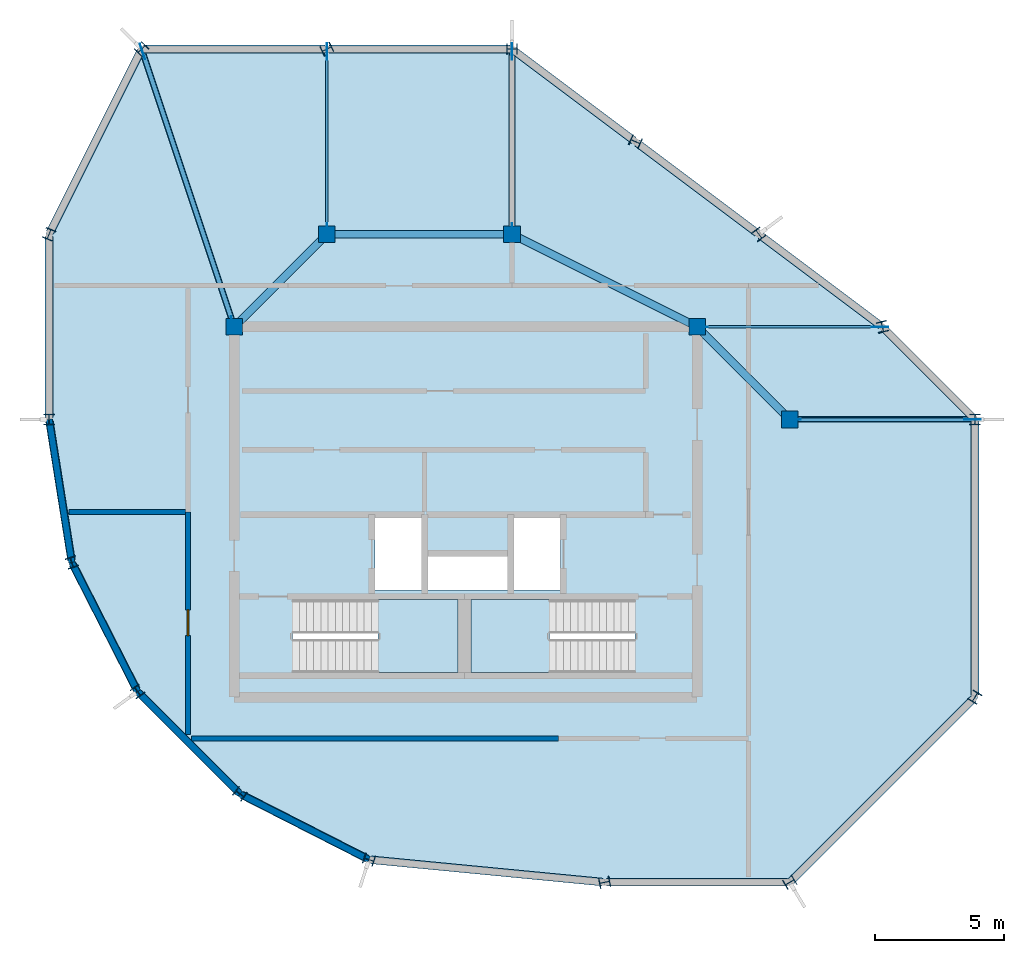
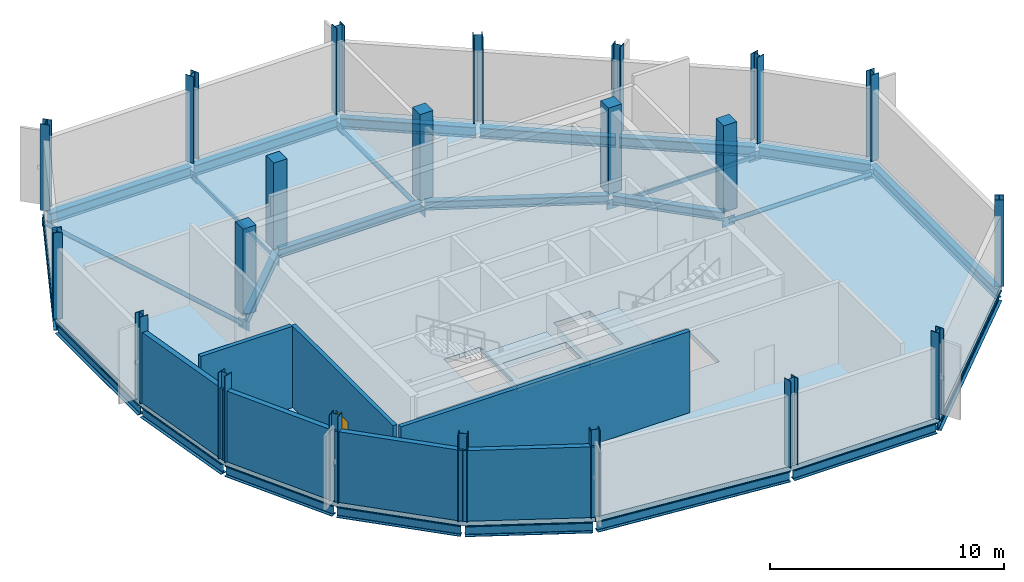
# One storey, part 1 of 5: 21 columns, 20 beams, 10 plates, 7 walls, 5 members, 3 slabs, 1 door, 1 opening, 2 elements without a shape of their own.
"""IFC4 building model written with IfcOpenShell, lengths in metres."""

import ifcopenshell
import ifcopenshell.guid

model = None  # the IFC model being written
_history = None  # IfcOwnerHistory: only IFC2X3 demands one
_inside = {}  # id of a spatial element -> (the spatial element, [elements in it])
_under = {}  # id of a project, library or spatial element -> (it, [spatial elements below it])
_declared = {}  # id of a project -> (the project, [libraries it declares])
_typed = {}  # id of a type object -> (the type object, [elements of that type])
_made_of = {}  # id of a material, layer set ... -> (it, [elements and type objects made of it])


def new_model(schema):
    """Start an empty IFC model of exactly this schema.

    Asked for "IFC4X3", IfcOpenShell would pick the latest addendum, in which some entities
    have other attributes; the version numbers below select the first issue.
    IFC2X3 requires an IfcOwnerHistory on every rooted entity: one is made here for all.
    """
    global model, _history
    if schema == "IFC4X3":
        model = ifcopenshell.file(schema_version=(4, 3, 0, 0))
    else:
        model = ifcopenshell.file(schema=schema)
    _inside.clear()
    _under.clear()
    _declared.clear()
    _typed.clear()
    _made_of.clear()
    _history = None
    if model.schema == "IFC2X3":
        org = make("IfcOrganization", Name="unknown")
        user = make(
            "IfcPersonAndOrganization",
            ThePerson=make("IfcPerson", FamilyName="unknown"),
            TheOrganization=org,
        )
        app = make(
            "IfcApplication",
            ApplicationDeveloper=org,
            Version="unknown",
            ApplicationFullName="unknown",
            ApplicationIdentifier="unknown",
        )
        _history = make(
            "IfcOwnerHistory",
            OwningUser=user,
            OwningApplication=app,
            ChangeAction="ADDED",
            CreationDate=0,
        )
    return model


def make(cls, **values):
    """One entity of the class cls with the attributes given. An attribute that is None is left unset."""
    return model.create_entity(
        cls, **{name: value for name, value in values.items() if value is not None}
    )


def rooted(cls, **values):
    """An entity with a GlobalId (a new one), such as an element, a storey or a relation."""
    return make(cls, GlobalId=ifcopenshell.guid.new(), OwnerHistory=_history, **values)


def si_unit(unit_type, name, prefix=None):
    """IfcSIUnit, for example si_unit("LENGTHUNIT", "METRE", prefix="MILLI")."""
    return make("IfcSIUnit", UnitType=unit_type, Prefix=prefix, Name=name)


def assignment(units):
    """IfcUnitAssignment: the units of a project."""
    return None if units is None else make("IfcUnitAssignment", Units=units)


def point(xyz):
    """IfcCartesianPoint."""
    return None if xyz is None else make("IfcCartesianPoint", Coordinates=xyz)


def direction(xyz):
    """IfcDirection."""
    return None if xyz is None else make("IfcDirection", DirectionRatios=xyz)


def frame(location, z_axis=None, x_axis=None):
    """IfcAxis2Placement3D, a coordinate frame: its origin and axes. An axis left out is left unset."""
    return make(
        "IfcAxis2Placement3D",
        Location=point(location),
        Axis=direction(z_axis),
        RefDirection=direction(x_axis),
    )


def frame_2d(location, x_axis=None):
    """IfcAxis2Placement2D, a coordinate frame in the plane: its origin and x axis."""
    return make(
        "IfcAxis2Placement2D", Location=point(location), RefDirection=direction(x_axis)
    )


def origin():
    """The frame at (0, 0, 0) with its axes left unset."""
    return frame((0.0, 0.0, 0.0))


def origin_2d():
    """The frame at (0, 0) in the plane with its x axis left unset."""
    return frame_2d((0.0, 0.0))


def place(relative_to, where):
    """IfcLocalPlacement: puts the frame where relative to a parent placement (None: the world)."""
    return make(
        "IfcLocalPlacement", PlacementRelTo=relative_to, RelativePlacement=where
    )


def context(
    kind, dimensions, precision=None, world=None, true_north=None, identifier=None
):
    """IfcGeometricRepresentationContext, for example the 3D "Model" context."""
    return make(
        "IfcGeometricRepresentationContext",
        ContextIdentifier=identifier,
        ContextType=kind,
        CoordinateSpaceDimension=dimensions,
        Precision=precision,
        WorldCoordinateSystem=world,
        TrueNorth=true_north,
    )


def subcontext(parent, identifier, kind, view, scale=None):
    """IfcGeometricRepresentationSubContext, for example "Body" below "Model"."""
    return make(
        "IfcGeometricRepresentationSubContext",
        ContextIdentifier=identifier,
        ContextType=kind,
        ParentContext=parent,
        TargetScale=scale,
        TargetView=view,
    )


def project(units=None, contexts=None):
    """IfcProject with its units and contexts."""
    return rooted(
        "IfcProject",
        Name="project",
        RepresentationContexts=contexts,
        UnitsInContext=assignment(units),
    )


def spatial(cls, under=None, at=None, **own):
    """A site, building, storey or space (cls), placed at a placement, below another one or the project."""
    s = rooted(cls, ObjectPlacement=at, **own)
    if under is not None:
        _under.setdefault(under.id(), (under, []))[1].append(s)
    return s


def polyline(points):
    """IfcPolyline through the points."""
    return make("IfcPolyline", Points=[point(p) for p in points])


def profile(cls, at=None, kind="AREA", **sizes):
    """A parametric profile (cls). Its sizes go by their IFC names, for example OverallWidth=200.0."""
    return make(cls, ProfileType=kind, Position=at, **sizes)


def rectangle(**sizes):
    """IfcRectangleProfileDef."""
    return profile("IfcRectangleProfileDef", **sizes)


def hollow_rectangle(**sizes):
    """IfcRectangleHollowProfileDef."""
    return profile("IfcRectangleHollowProfileDef", **sizes)


def hollow_circle(**sizes):
    """IfcCircleHollowProfileDef."""
    return profile("IfcCircleHollowProfileDef", **sizes)


def i_section(**sizes):
    """IfcIShapeProfileDef."""
    return profile("IfcIShapeProfileDef", **sizes)


def outline(outer, holes=None, kind="AREA"):
    """IfcArbitraryClosedProfileDef: a profile drawn as a closed curve; with holes, ...WithVoids."""
    if holes is None:
        return make("IfcArbitraryClosedProfileDef", ProfileType=kind, OuterCurve=outer)
    return make(
        "IfcArbitraryProfileDefWithVoids",
        ProfileType=kind,
        OuterCurve=outer,
        InnerCurves=holes,
    )


def extrude(swept, where, along, depth):
    """IfcExtrudedAreaSolid: the profile swept, set in the frame where, extruded along a direction by depth."""
    return make(
        "IfcExtrudedAreaSolid",
        SweptArea=swept,
        Position=where,
        ExtrudedDirection=direction(along),
        Depth=depth,
    )


def shape(context_of_items, identifier, shape_type, items):
    """IfcShapeRepresentation: the items that make up one representation, for example the "Body"."""
    return make(
        "IfcShapeRepresentation",
        ContextOfItems=context_of_items,
        RepresentationIdentifier=identifier,
        RepresentationType=shape_type,
        Items=items,
    )


def material(Name=None, Category=None):
    """IfcMaterial."""
    return make("IfcMaterial", Name=Name, Category=Category)


def layer(
    of_material, thickness, ventilated=None, Name=None, Category=None, Priority=None
):
    """IfcMaterialLayer: one layer of a wall or slab, of a material (None: an air gap)."""
    return make(
        "IfcMaterialLayer",
        Material=of_material,
        LayerThickness=thickness,
        IsVentilated=ventilated,
        Name=Name,
        Category=Category,
        Priority=Priority,
    )


def layer_set(layers, Name=None):
    """IfcMaterialLayerSet."""
    return make("IfcMaterialLayerSet", MaterialLayers=layers, LayerSetName=Name)


def material_profile(
    of_material, cross_section, Name=None, Category=None, Priority=None
):
    """IfcMaterialProfile: a cross section and its material."""
    return make(
        "IfcMaterialProfile",
        Name=Name,
        Material=of_material,
        Profile=cross_section,
        Priority=Priority,
        Category=Category,
    )


def profile_set(profiles, Name=None, composite=None):
    """IfcMaterialProfileSet."""
    return make(
        "IfcMaterialProfileSet",
        Name=Name,
        MaterialProfiles=profiles,
        CompositeProfile=composite,
    )


def made_of(thing, what):
    """Note that an element or type object is made of a material, layer set ...; save() writes the relation."""
    if what is not None:
        _made_of.setdefault(what.id(), (what, []))[1].append(thing)
    return thing


def type_object(cls, material=None, **own):
    """A type object (cls), such as IfcWallType, which elements share."""
    return made_of(rooted(cls, **own), material)


def element(
    cls,
    number,
    at=None,
    inside=None,
    cuts=None,
    type_object=None,
    material=None,
    context=None,
    identifier="Body",
    shape_type=None,
    held_by="IfcProductDefinitionShape",
    body=None,
    shapes=None,
    **own,
):
    """One element of the class cls, such as IfcWall. Its Tag is "e" and its number.

    at: its placement. inside: the storey or other place that contains it. cuts: it is an
    opening in that element (IfcRelVoidsElement). A single representation is given by context,
    identifier, shape_type and body (its items); several are given by shapes. held_by: the class
    of the entity that holds the representations. save() writes the other relations.
    """
    e = rooted(cls, Tag="e%d" % number, ObjectPlacement=at, **own)
    if body is not None:
        shapes = [shape(context, identifier, shape_type, body)]
    if shapes is not None:
        e.Representation = make(held_by, Representations=shapes)
    if inside is not None:
        _inside.setdefault(inside.id(), (inside, []))[1].append(e)
    if cuts is not None:
        rooted(
            "IfcRelVoidsElement", RelatingBuildingElement=cuts, RelatedOpeningElement=e
        )
    if type_object is not None:
        _typed.setdefault(type_object.id(), (type_object, []))[1].append(e)
    return made_of(e, material)


def fill(opening, filler):
    """IfcRelFillsElement: the door or window that sits in an opening."""
    return rooted(
        "IfcRelFillsElement",
        RelatingOpeningElement=opening,
        RelatedBuildingElement=filler,
    )


def aggregate(whole, parts):
    """IfcRelAggregates: a whole, such as a stair, and the parts it consists of."""
    return rooted("IfcRelAggregates", RelatingObject=whole, RelatedObjects=parts)


def save(model, path):
    """Write the relations noted so far, then the file.

    IfcRelAggregates (storeys below a building ...), IfcRelContainedInSpatialStructure (elements
    in a storey), IfcRelDefinesByType, IfcRelAssociatesMaterial and IfcRelDeclares: one each for
    every whole, place, type object, material and project.
    """
    for whole, parts in _under.values():
        aggregate(whole, parts)
    for where, things in _inside.values():
        rooted(
            "IfcRelContainedInSpatialStructure",
            RelatedElements=things,
            RelatingStructure=where,
        )
    for kind, things in _typed.values():
        rooted("IfcRelDefinesByType", RelatedObjects=things, RelatingType=kind)
    for what, things in _made_of.values():
        rooted("IfcRelAssociatesMaterial", RelatedObjects=things, RelatingMaterial=what)
    for by, libraries in _declared.values():
        rooted("IfcRelDeclares", RelatingContext=by, RelatedDefinitions=libraries)
    model.write(path)


model = new_model("IFC4")

# Units and contexts
model_context = context("Model", 3, precision=1e-05, world=origin(), true_north=direction((0.0, 1.0)))
body_context = subcontext(model_context, "Body", "Model", "MODEL_VIEW")
ifc_project = project(units=[si_unit("LENGTHUNIT", "METRE"), si_unit("AREAUNIT", "SQUARE_METRE"), si_unit("VOLUMEUNIT", "CUBIC_METRE"), si_unit("PLANEANGLEUNIT", "RADIAN"), si_unit("MASSUNIT", "GRAM", prefix="KILO")], contexts=[model_context])

# Site, building, storey
site_placement = place(None, origin())
site = spatial("IfcSite", under=ifc_project, at=site_placement, CompositionType="ELEMENT")
building_placement = place(site_placement, origin())
building = spatial("IfcBuilding", under=site, at=building_placement, Name="Solnavia Interchange Tower", CompositionType="ELEMENT")
storey_placement = place(building_placement, frame((0.0, 0.0, 313.199951171875)))
storey = spatial("IfcBuildingStorey", under=building, at=storey_placement, Name="C03", CompositionType="ELEMENT", Elevation=313.199951171875)

# Columns
ifc_material_1 = material(Name="Concrete C50/60", Category="concrete")
ifc_material_profile_1 = material_profile(ifc_material_1, rectangle(XDim=0.64990234375, YDim=0.64990234375, at=origin_2d()), Name="RC 650x650")
ifc_profile_set_1 = profile_set([ifc_material_profile_1], Name="Concrete C50/60")
column_type_1 = type_object("IfcColumnType", Name="Col-RC-650x650", PredefinedType="COLUMN", material=ifc_profile_set_1)
for number, where, z_axis, x_axis, name in (
    (1, (36.0, 21.60009765625, 0.0), (0.0, 0.0, 1.0), (1.0, 0.0, 0.0), "COL-C03-IN01 Crown inner plant column"),
    (2, (32.39990234375, 25.199951171875, 0.0), (0.0, 0.0, 1.0), (1.0, 0.0, 0.0), "COL-C03-IN02 Crown inner plant column"),
    (3, (25.199951171875, 28.800048828125, 0.0), (0.0, 0.0, 1.0), (1.0, 0.0, 0.0), "COL-C03-IN03 Crown inner plant column"),
    (4, (18.0, 28.800048828125, 0.0), (0.0, 0.0, 1.0), (1.0, 0.0, 0.0), "COL-C03-IN04 Crown inner plant column"),
    (5, (14.39990234375, 25.199951171875, 0.0), (0.0, 0.0, 1.0), (1.0, 0.0, 0.0), "COL-C03-IN05 Crown inner plant column"),
):
    element("IfcColumn", number, at=place(storey_placement, frame(where, z_axis=z_axis, x_axis=x_axis)), inside=storey, type_object=column_type_1, Name=name, PredefinedType="COLUMN", context=body_context, shape_type="SweptSolid", body=[
        extrude(rectangle(XDim=0.64990234375, YDim=0.64990234375, at=origin_2d()), origin(), (0.0, 0.0, 1.0), 4.5),
    ])
ifc_material_2 = material(Name="Steel S460", Category="steel")
ifc_material_profile_2 = material_profile(ifc_material_2, i_section(OverallWidth=0.405029296875, OverallDepth=0.4169921875, WebThickness=0.01806640625, FlangeThickness=0.028564453125, FilletRadius=0.014892578125, at=origin_2d()), Name="HD 400x262")
ifc_profile_set_2 = profile_set([ifc_material_profile_2], Name="Steel S460")
column_type_2 = type_object("IfcColumnType", Name="CrownFrame-Col-HD400x262", PredefinedType="COLUMN", material=ifc_profile_set_2)
for number, where, z_axis, x_axis, name in (
    (6, (43.199951171875, 21.60009765625, 0.0), (0.0, 0.0, 1.0), (1.0, 0.0, 0.0), "COL-C03-CF01 CROWN FRAME ring column"),
    (7, (39.60009765625, 25.199951171875, 0.0), (0.0, 0.0, 1.0), (0.97012659649, 0.242599230795, 0.0), "COL-C03-CF02 CROWN FRAME ring column"),
    (8, (34.800048828125, 28.800048828125, 0.0), (0.0, 0.0, 1.0), (0.799998928149, 0.600001429133, 0.0), "COL-C03-CF03 CROWN FRAME ring column"),
    (9, (30.0, 32.39990234375, 0.0), (0.0, 0.0, 1.0), (0.406098768964, 0.913829190738, 0.0), "COL-C03-CF04 CROWN FRAME ring column"),
    (10, (25.199951171875, 36.0, 0.0), (0.0, 0.0, 1.0), (0.0, 1.0, 0.0), "COL-C03-CF05 CROWN FRAME ring column"),
    (11, (18.0, 36.0, 0.0), (0.0, 0.0, 1.0), (-0.447290848419, 0.89438856037, 0.0), "COL-C03-CF06 CROWN FRAME ring column"),
    (12, (10.800048828125, 36.0, 0.0), (0.0, 0.0, 1.0), (-0.707106781187, 0.707106781187, 0.0), "COL-C03-CF07 CROWN FRAME ring column"),
    (13, (7.199951171875, 28.800048828125, 0.0), (0.0, 0.0, 1.0), (-0.928485826881, 0.37136783555, 0.0), "COL-C03-CF08 CROWN FRAME ring column"),
    (14, (7.199951171875, 21.60009765625, 0.0), (0.0, 0.0, 1.0), (-1.0, 0.0, 0.0), "COL-C03-CF09 CROWN FRAME ring column"),
    (15, (8.0810546875, 16.0380859375, 0.0), (0.0, 0.0, 1.0), (-0.951056516295, -0.309016994375, 0.0), "COL-C03-CF10 CROWN FRAME ring column"),
    (16, (10.637939453125, 11.02001953125, 0.0), (0.0, 0.0, 1.0), (-0.809016994375, -0.587785252292, 0.0), "COL-C03-CF11 CROWN FRAME ring column"),
    (17, (14.6201171875, 7.0380859375, 0.0), (0.0, 0.0, 1.0), (-0.587785252292, -0.809016994375, 0.0), "COL-C03-CF12 CROWN FRAME ring column"),
    (18, (19.637939453125, 4.48095703125, 0.0), (0.0, 0.0, 1.0), (-0.309016994375, -0.951056516295, 0.0), "COL-C03-CF13 CROWN FRAME ring column"),
    (19, (28.800048828125, 3.60009765625, 0.0), (0.0, 0.0, 1.0), (0.196117290802, -0.980580444557, 0.0), "COL-C03-CF14 CROWN FRAME ring column"),
    (20, (36.0, 3.60009765625, 0.0), (0.0, 0.0, 1.0), (0.514439533782, -0.857526656194, 0.0), "COL-C03-CF15 CROWN FRAME ring column"),
    (21, (43.199951171875, 10.800048828125, 0.0), (0.0, 0.0, 1.0), (0.857526656194, -0.514439533782, 0.0), "COL-C03-CF16 CROWN FRAME ring column"),
):
    element("IfcColumn", number, at=place(storey_placement, frame(where, z_axis=z_axis, x_axis=x_axis)), inside=storey, type_object=column_type_2, Name=name, PredefinedType="COLUMN", context=body_context, shape_type="SweptSolid", body=[
        extrude(i_section(OverallWidth=0.405029296875, OverallDepth=0.4169921875, WebThickness=0.01806640625, FlangeThickness=0.028564453125, FilletRadius=0.014892578125, at=origin_2d()), origin(), (0.0, 0.0, 1.0), 4.5),
    ])

# Beams
ifc_material_profile_3 = material_profile(ifc_material_2, i_section(OverallWidth=0.300048828125, OverallDepth=0.449951171875, WebThickness=0.013916015625, FlangeThickness=0.02587890625, FilletRadius=0.027099609375, at=origin_2d()), Name="HEB 450")
ifc_profile_set_3 = profile_set([ifc_material_profile_3], Name="Steel S460")
beam_type_1 = type_object("IfcBeamType", Name="Beam-Girder-HEB450", PredefinedType="BEAM", material=ifc_profile_set_3)
beam_1_placement = place(storey_placement, frame((35.943359375, 21.656494140625, -0.474853515625), z_axis=(-0.707106781187, 0.707106781187, 0.0), x_axis=(-0.707106781187, -0.707106781187, 0.0)))
element("IfcBeam", 22, at=beam_1_placement, inside=storey, type_object=beam_type_1, Name="GRD-C03-CI01 Crown inner ring girder", PredefinedType="BEAM", context=body_context, shape_type="SweptSolid", body=[
    extrude(i_section(OverallWidth=0.300048828125, OverallDepth=0.449951171875, WebThickness=0.013916015625, FlangeThickness=0.02587890625, FilletRadius=0.027099609375, at=origin_2d()), origin(), (0.0, 0.0, 1.0), 4.93115234375),
])
beam_2_placement = place(storey_placement, frame((32.328369140625, 25.23583984375, -0.474853515625), z_axis=(-0.894433379694, 0.447201217898, 0.0), x_axis=(-0.447201217898, -0.894433379694, 0.0)))
element("IfcBeam", 23, at=beam_2_placement, inside=storey, type_object=beam_type_1, Name="GRD-C03-CI02 Crown inner ring girder", PredefinedType="BEAM", context=body_context, shape_type="SweptSolid", body=[
    extrude(i_section(OverallWidth=0.300048828125, OverallDepth=0.449951171875, WebThickness=0.013916015625, FlangeThickness=0.02587890625, FilletRadius=0.027099609375, at=origin_2d()), origin(), (0.0, 0.0, 1.0), 7.889892578125),
])
beam_3_placement = place(storey_placement, frame((25.1201171875, 28.800048828125, -0.474853515625), z_axis=(-1.0, 0.0, 0.0), x_axis=(0.0, -1.0, 0.0)))
element("IfcBeam", 24, at=beam_3_placement, inside=storey, type_object=beam_type_1, Name="GRD-C03-CI03 Crown inner ring girder", PredefinedType="BEAM", context=body_context, shape_type="SweptSolid", body=[
    extrude(i_section(OverallWidth=0.300048828125, OverallDepth=0.449951171875, WebThickness=0.013916015625, FlangeThickness=0.02587890625, FilletRadius=0.027099609375, at=origin_2d()), origin(), (0.0, 0.0, 1.0), 7.0400390625),
])
beam_4_placement = place(storey_placement, frame((17.943359375, 28.743408203125, -0.474853515625), z_axis=(-0.707106781187, -0.707106781187, 0.0), x_axis=(0.707106781187, -0.707106781187, 0.0)))
element("IfcBeam", 25, at=beam_4_placement, inside=storey, type_object=beam_type_1, Name="GRD-C03-CI04 Crown inner ring girder", PredefinedType="BEAM", context=body_context, shape_type="SweptSolid", body=[
    extrude(i_section(OverallWidth=0.300048828125, OverallDepth=0.449951171875, WebThickness=0.013916015625, FlangeThickness=0.02587890625, FilletRadius=0.027099609375, at=origin_2d()), origin(), (0.0, 0.0, 1.0), 4.93115234375),
])

# Members
ifc_material_3 = material(Name="Steel S355", Category="steel")
ifc_material_profile_4 = material_profile(ifc_material_3, hollow_circle(Radius=0.109619140625, WallThickness=0.010009765625, at=origin_2d()), Name="CHS 219.1x10")
ifc_profile_set_4 = profile_set([ifc_material_profile_4], Name="Steel S355")
member_type_1 = type_object("IfcMemberType", Name="CrownFrame-Collar-CHS219", PredefinedType="COLLAR", material=ifc_profile_set_4)
for number, where, z_axis, x_axis, name in (
    (26, (36.10009765625, 21.60009765625, -0.800048828125), (1.0, 0.0, 0.0), (0.0, 1.0, 0.0), "OTR-C03-CL01 CROWN FRAME radial collar member"),
    (27, (25.199951171875, 28.89990234375, -0.800048828125), (0.0, 1.0, 0.0), (-1.0, 0.0, 0.0), "OTR-C03-CL03 CROWN FRAME radial collar member"),
):
    element("IfcMember", number, at=place(storey_placement, frame(where, z_axis=z_axis, x_axis=x_axis)), inside=storey, type_object=member_type_1, Name=name, PredefinedType="COLLAR", context=body_context, shape_type="SweptSolid", body=[
        extrude(hollow_circle(Radius=0.109619140625, WallThickness=0.010009765625, at=origin_2d()), origin(), (0.0, 0.0, 1.0), 7.0),
    ])
member_placement = place(storey_placement, frame((14.368408203125, 25.294921875, -0.800048828125), z_axis=(-0.316240863558, 0.948678932103, 0.0), x_axis=(-0.948678932103, -0.316240863558, 0.0)))
element("IfcMember", 28, at=member_placement, inside=storey, type_object=member_type_1, Name="OTR-C03-CL05 CROWN FRAME radial collar member", PredefinedType="COLLAR", context=body_context, shape_type="SweptSolid", body=[
    extrude(hollow_circle(Radius=0.109619140625, WallThickness=0.010009765625, at=origin_2d()), origin(), (0.0, 0.0, 1.0), 11.18408203125),
])
ifc_material_profile_5 = material_profile(ifc_material_3, hollow_rectangle(XDim=0.10009765625, YDim=0.199951171875, WallThickness=0.008056640625, at=origin_2d()), Name="RHS 200x100x8")
ifc_profile_set_5 = profile_set([ifc_material_profile_5], Name="Steel S355")
member_type_2 = type_object("IfcMemberType", Name="CrownFrame-Collar-RHS200", PredefinedType="COLLAR", material=ifc_profile_set_5)
for number, where, z_axis, x_axis, name in (
    (29, (32.5, 25.199951171875, -0.800048828125), (1.0, 0.0, 0.0), (0.0, 1.0, 0.0), "OTR-C03-CL02 CROWN FRAME radial collar member"),
    (30, (18.0, 28.89990234375, -0.800048828125), (0.0, 1.0, 0.0), (-1.0, 0.0, 0.0), "OTR-C03-CL04 CROWN FRAME radial collar member"),
):
    element("IfcMember", number, at=place(storey_placement, frame(where, z_axis=z_axis, x_axis=x_axis)), inside=storey, type_object=member_type_2, Name=name, PredefinedType="COLLAR", context=body_context, shape_type="SweptSolid", body=[
        extrude(hollow_rectangle(XDim=0.10009765625, YDim=0.199951171875, WallThickness=0.008056640625, at=origin_2d()), origin(), (0.0, 0.0, 1.0), 7.0),
    ])

# Beams
ifc_material_profile_6 = material_profile(ifc_material_2, i_section(OverallWidth=0.300048828125, OverallDepth=0.550048828125, WebThickness=0.014892578125, FlangeThickness=0.029052734375, FilletRadius=0.027099609375, at=origin_2d()), Name="HEB 550")
ifc_profile_set_6 = profile_set([ifc_material_profile_6], Name="Steel S460")
beam_type_2 = type_object("IfcBeamType", Name="CrownFrame-Ring-HEB550", PredefinedType="BEAM", material=ifc_profile_set_6)
beam_5_placement = place(storey_placement, frame((43.143310546875, 21.656494140625, -0.52490234375), z_axis=(-0.707106781187, 0.707106781187, 0.0), x_axis=(-0.707106781187, -0.707106781187, 0.0)))
element("IfcBeam", 31, at=beam_5_placement, inside=storey, type_object=beam_type_2, Name="GRD-C03-CR01 CROWN FRAME outer collar ring beam", PredefinedType="BEAM", context=body_context, shape_type="SweptSolid", body=[
    extrude(i_section(OverallWidth=0.300048828125, OverallDepth=0.550048828125, WebThickness=0.014892578125, FlangeThickness=0.029052734375, FilletRadius=0.027099609375, at=origin_2d()), origin(), (0.0, 0.0, 1.0), 4.93115234375),
])
beam_6_placement = place(storey_placement, frame((39.535888671875, 25.248046875, -0.52490234375), z_axis=(-0.8, 0.6, 0.0), x_axis=(-0.6, -0.8, 0.0)))
element("IfcBeam", 32, at=beam_6_placement, inside=storey, type_object=beam_type_2, Name="GRD-C03-CR02 CROWN FRAME outer collar ring beam", PredefinedType="BEAM", context=body_context, shape_type="SweptSolid", body=[
    extrude(i_section(OverallWidth=0.300048828125, OverallDepth=0.550048828125, WebThickness=0.014892578125, FlangeThickness=0.029052734375, FilletRadius=0.027099609375, at=origin_2d()), origin(), (0.0, 0.0, 1.0), 5.83984375),
])
for number, where, z_axis, x_axis, name in (
    (33, (34.736083984375, 28.847900390625, -0.52490234375), (-0.799994983543, 0.600006688551, 0.0), (-0.600006688551, -0.799994983543, 0.0), "GRD-C03-CR03 CROWN FRAME outer collar ring beam"),
    (34, (29.93603515625, 32.447998046875, -0.52490234375), (-0.800015049412, 0.599979933593, 0.0), (-0.599979933593, -0.800015049412, 0.0), "GRD-C03-CR04 CROWN FRAME outer collar ring beam"),
):
    element("IfcBeam", number, at=place(storey_placement, frame(where, z_axis=z_axis, x_axis=x_axis)), inside=storey, type_object=beam_type_2, Name=name, PredefinedType="BEAM", context=body_context, shape_type="SweptSolid", body=[
        extrude(i_section(OverallWidth=0.300048828125, OverallDepth=0.550048828125, WebThickness=0.014892578125, FlangeThickness=0.029052734375, FilletRadius=0.027099609375, at=origin_2d()), origin(), (0.0, 0.0, 1.0), 5.840087890625),
    ])
for number, where, z_axis, x_axis, name in (
    (35, (25.1201171875, 36.0, -0.52490234375), (-1.0, 0.0, 0.0), (0.0, -1.0, 0.0), "GRD-C03-CR05 CROWN FRAME outer collar ring beam"),
    (36, (17.919921875, 36.0, -0.52490234375), (-1.0, 0.0, 0.0), (0.0, -1.0, 0.0), "GRD-C03-CR06 CROWN FRAME outer collar ring beam"),
):
    element("IfcBeam", number, at=place(storey_placement, frame(where, z_axis=z_axis, x_axis=x_axis)), inside=storey, type_object=beam_type_2, Name=name, PredefinedType="BEAM", context=body_context, shape_type="SweptSolid", body=[
        extrude(i_section(OverallWidth=0.300048828125, OverallDepth=0.550048828125, WebThickness=0.014892578125, FlangeThickness=0.029052734375, FilletRadius=0.027099609375, at=origin_2d()), origin(), (0.0, 0.0, 1.0), 7.0400390625),
    ])
beam_7_placement = place(storey_placement, frame((10.76416015625, 35.928466796875, -0.52490234375), z_axis=(-0.447201217898, -0.894433379694, 0.0), x_axis=(0.894433379694, -0.447201217898, 0.0)))
element("IfcBeam", 37, at=beam_7_placement, inside=storey, type_object=beam_type_2, Name="GRD-C03-CR07 CROWN FRAME outer collar ring beam", PredefinedType="BEAM", context=body_context, shape_type="SweptSolid", body=[
    extrude(i_section(OverallWidth=0.300048828125, OverallDepth=0.550048828125, WebThickness=0.014892578125, FlangeThickness=0.029052734375, FilletRadius=0.027099609375, at=origin_2d()), origin(), (0.0, 0.0, 1.0), 7.889892578125),
])
beam_8_placement = place(storey_placement, frame((7.199951171875, 28.719970703125, -0.52490234375), z_axis=(0.0, -1.0, 0.0), x_axis=(1.0, 0.0, 0.0)))
element("IfcBeam", 38, at=beam_8_placement, inside=storey, type_object=beam_type_2, Name="GRD-C03-CR08 CROWN FRAME outer collar ring beam", PredefinedType="BEAM", context=body_context, shape_type="SweptSolid", body=[
    extrude(i_section(OverallWidth=0.300048828125, OverallDepth=0.550048828125, WebThickness=0.014892578125, FlangeThickness=0.029052734375, FilletRadius=0.027099609375, at=origin_2d()), origin(), (0.0, 0.0, 1.0), 7.0400390625),
])
beam_9_placement = place(storey_placement, frame((7.21240234375, 21.52099609375, -0.52490234375), z_axis=(0.156484976244, -0.987680339082, 0.0), x_axis=(0.987680339082, 0.156484976244, 0.0)))
element("IfcBeam", 39, at=beam_9_placement, inside=storey, type_object=beam_type_2, Name="GRD-C03-CR09 CROWN FRAME outer collar ring beam", PredefinedType="BEAM", context=body_context, shape_type="SweptSolid", body=[
    extrude(i_section(OverallWidth=0.300048828125, OverallDepth=0.550048828125, WebThickness=0.014892578125, FlangeThickness=0.029052734375, FilletRadius=0.027099609375, at=origin_2d()), origin(), (0.0, 0.0, 1.0), 5.471435546875),
])
beam_10_placement = place(storey_placement, frame((8.1171875, 15.966796875, -0.52490234375), z_axis=(0.454053431986, -0.890974455808, 0.0), x_axis=(0.890974455808, 0.454053431986, 0.0)))
element("IfcBeam", 40, at=beam_10_placement, inside=storey, type_object=beam_type_2, Name="GRD-C03-CR10 CROWN FRAME outer collar ring beam", PredefinedType="BEAM", context=body_context, shape_type="SweptSolid", body=[
    extrude(i_section(OverallWidth=0.300048828125, OverallDepth=0.550048828125, WebThickness=0.014892578125, FlangeThickness=0.029052734375, FilletRadius=0.027099609375, at=origin_2d()), origin(), (0.0, 0.0, 1.0), 5.47216796875),
])
beam_11_placement = place(storey_placement, frame((10.694580078125, 10.96337890625, -0.52490234375), z_axis=(0.707106781187, -0.707106781187, 0.0), x_axis=(0.707106781187, 0.707106781187, 0.0)))
element("IfcBeam", 41, at=beam_11_placement, inside=storey, type_object=beam_type_2, Name="GRD-C03-CR11 CROWN FRAME outer collar ring beam", PredefinedType="BEAM", context=body_context, shape_type="SweptSolid", body=[
    extrude(i_section(OverallWidth=0.300048828125, OverallDepth=0.550048828125, WebThickness=0.014892578125, FlangeThickness=0.029052734375, FilletRadius=0.027099609375, at=origin_2d()), origin(), (0.0, 0.0, 1.0), 5.471435546875),
])
beam_12_placement = place(storey_placement, frame((14.69140625, 7.001708984375, -0.52490234375), z_axis=(0.890983307267, -0.454036062634, 0.0), x_axis=(0.454036062634, 0.890983307267, 0.0)))
element("IfcBeam", 42, at=beam_12_placement, inside=storey, type_object=beam_type_2, Name="GRD-C03-CR12 CROWN FRAME outer collar ring beam", PredefinedType="BEAM", context=body_context, shape_type="SweptSolid", body=[
    extrude(i_section(OverallWidth=0.300048828125, OverallDepth=0.550048828125, WebThickness=0.014892578125, FlangeThickness=0.029052734375, FilletRadius=0.027099609375, at=origin_2d()), origin(), (0.0, 0.0, 1.0), 5.4716796875),
])
beam_13_placement = place(storey_placement, frame((19.717529296875, 4.473388671875, -0.52490234375), z_axis=(0.995408435602, -0.095718578822, 0.0), x_axis=(0.095718578822, 0.995408435602, 0.0)))
element("IfcBeam", 43, at=beam_13_placement, inside=storey, type_object=beam_type_2, Name="GRD-C03-CR13 CROWN FRAME outer collar ring beam", PredefinedType="BEAM", context=body_context, shape_type="SweptSolid", body=[
    extrude(i_section(OverallWidth=0.300048828125, OverallDepth=0.550048828125, WebThickness=0.014892578125, FlangeThickness=0.029052734375, FilletRadius=0.027099609375, at=origin_2d()), origin(), (0.0, 0.0, 1.0), 9.04443359375),
])
beam_14_placement = place(storey_placement, frame((28.8798828125, 3.60009765625, -0.52490234375), z_axis=(1.0, 0.0, 0.0), x_axis=(0.0, 1.0, 0.0)))
element("IfcBeam", 44, at=beam_14_placement, inside=storey, type_object=beam_type_2, Name="GRD-C03-CR14 CROWN FRAME outer collar ring beam", PredefinedType="BEAM", context=body_context, shape_type="SweptSolid", body=[
    extrude(i_section(OverallWidth=0.300048828125, OverallDepth=0.550048828125, WebThickness=0.014892578125, FlangeThickness=0.029052734375, FilletRadius=0.027099609375, at=origin_2d()), origin(), (0.0, 0.0, 1.0), 7.0400390625),
])
beam_15_placement = place(storey_placement, frame((36.056640625, 3.656494140625, -0.52490234375), z_axis=(0.707094601135, 0.707118961028, 0.0), x_axis=(-0.707118961028, 0.707094601135, 0.0)))
element("IfcBeam", 45, at=beam_15_placement, inside=storey, type_object=beam_type_2, Name="GRD-C03-CR15 CROWN FRAME outer collar ring beam", PredefinedType="BEAM", context=body_context, shape_type="SweptSolid", body=[
    extrude(i_section(OverallWidth=0.300048828125, OverallDepth=0.550048828125, WebThickness=0.014892578125, FlangeThickness=0.029052734375, FilletRadius=0.027099609375, at=origin_2d()), origin(), (0.0, 0.0, 1.0), 10.022216796875),
])
beam_16_placement = place(storey_placement, frame((43.199951171875, 10.8798828125, -0.52490234375), z_axis=(0.0, 1.0, 0.0), x_axis=(-1.0, 0.0, 0.0)))
element("IfcBeam", 46, at=beam_16_placement, inside=storey, type_object=beam_type_2, Name="GRD-C03-CR16 CROWN FRAME outer collar ring beam", PredefinedType="BEAM", context=body_context, shape_type="SweptSolid", body=[
    extrude(i_section(OverallWidth=0.300048828125, OverallDepth=0.550048828125, WebThickness=0.014892578125, FlangeThickness=0.029052734375, FilletRadius=0.027099609375, at=origin_2d()), origin(), (0.0, 0.0, 1.0), 10.64013671875),
])

# Plates
ifc_layer_1 = layer(ifc_material_2, 0.02490234375)
ifc_layer_set_1 = layer_set([ifc_layer_1], Name="Steel S460")
plate_type = type_object("IfcPlateType", Name="Plate-Gusset-640x480x25", PredefinedType="USERDEFINED", material=ifc_layer_set_1)
for number, where, z_axis, x_axis, name in (
    (47, (36.10009765625, 21.60009765625, -1.0400390625), (0.0, 0.0, 1.0), (1.0, 0.0, 0.0), "PLT-C03-GP01 Crown collar gusset plate"),
    (48, (43.10009765625, 21.60009765625, -1.0400390625), (0.0, 0.0, 1.0), (1.0, 0.0, 0.0), "PLT-C03-GP02 Crown collar gusset plate"),
    (49, (32.5, 25.199951171875, -1.0400390625), (0.0, 0.0, 1.0), (1.0, 0.0, 0.0), "PLT-C03-GP03 Crown collar gusset plate"),
    (50, (39.5, 25.199951171875, -1.0400390625), (0.0, 0.0, 1.0), (1.0, 0.0, 0.0), "PLT-C03-GP04 Crown collar gusset plate"),
    (51, (25.199951171875, 28.89990234375, -1.0400390625), (0.0, 0.0, 1.0), (0.0, 1.0, 0.0), "PLT-C03-GP05 Crown collar gusset plate"),
    (52, (25.199951171875, 35.89990234375, -1.0400390625), (0.0, 0.0, 1.0), (0.0, 1.0, 0.0), "PLT-C03-GP06 Crown collar gusset plate"),
    (53, (18.0, 28.89990234375, -1.0400390625), (0.0, 0.0, 1.0), (0.0, 1.0, 0.0), "PLT-C03-GP07 Crown collar gusset plate"),
    (54, (18.0, 35.89990234375, -1.0400390625), (0.0, 0.0, 1.0), (0.0, 1.0, 0.0), "PLT-C03-GP08 Crown collar gusset plate"),
    (55, (14.368408203125, 25.294921875, -1.0400390625), (0.0, 0.0, 1.0), (-0.316145823974, 0.948710608133, 0.0), "PLT-C03-GP09 Crown collar gusset plate"),
    (56, (10.83154296875, 35.905029296875, -1.0400390625), (0.0, 0.0, 1.0), (-0.316145823974, 0.948710608133, 0.0), "PLT-C03-GP10 Crown collar gusset plate"),
):
    element("IfcPlate", number, at=place(storey_placement, frame(where, z_axis=z_axis, x_axis=x_axis)), inside=storey, type_object=plate_type, Name=name, ObjectType="GUSSET PLATE", PredefinedType="USERDEFINED", context=body_context, shape_type="SweptSolid", body=[
        extrude(rectangle(XDim=0.639892578125, YDim=0.02490234375, at=origin_2d()), origin(), (0.0, 0.0, 1.0), 0.47998046875),
    ])

# Stair, slab
ifc_material_4 = material(Name="Concrete C40/50", Category="concrete")
stair_type = type_object("IfcStairType", Name="Stair-Dogleg-RC", PredefinedType="HALF_TURN_STAIR", material=ifc_material_4)
stair_1_placement = place(storey_placement, origin())
stair_1 = element("IfcStair", 57, at=stair_1_placement, inside=storey, type_object=stair_type, Name="C03 Core exit stair 1", PredefinedType="HALF_TURN_STAIR")
ifc_layer_2 = layer(ifc_material_4, 0.35009765625)
ifc_layer_set_2 = layer_set([ifc_layer_2], Name="Concrete C40/50")
slab_type_1 = type_object("IfcSlabType", Name="Slab-StairLanding-350", PredefinedType="LANDING", material=ifc_layer_set_2)
slab_1_placement = place(storey_placement, frame((0.0, 0.0, 1.900146484375)))
slab_1 = element("IfcSlab", 58, at=slab_1_placement, type_object=slab_type_1, Name="ST-1 landing 1", PredefinedType="LANDING", context=body_context, shape_type="SweptSolid", body=[
    extrude(outline(polyline([(19.988037109375, 11.75), (23.10009765625, 11.75), (23.10009765625, 14.590087890625), (19.988037109375, 14.590087890625), (19.988037109375, 11.75)])), origin(), (0.0, 0.0, 1.0), 0.349853515625),
])
aggregate(stair_1, [slab_1])

stair_2_placement = place(storey_placement, origin())
stair_2 = element("IfcStair", 59, at=stair_2_placement, inside=storey, type_object=stair_type, Name="C03 Core exit stair 2", PredefinedType="HALF_TURN_STAIR")
slab_2_placement = place(storey_placement, frame((0.0, 0.0, 1.900146484375)))
slab_2 = element("IfcSlab", 60, at=slab_2_placement, type_object=slab_type_1, Name="ST-2 landing 1", PredefinedType="LANDING", context=body_context, shape_type="SweptSolid", body=[
    extrude(outline(polyline([(23.60009765625, 11.75), (26.662109375, 11.75), (26.662109375, 14.590087890625), (23.60009765625, 14.590087890625), (23.60009765625, 11.75)])), origin(), (0.0, 0.0, 1.0), 0.349853515625),
])
aggregate(stair_2, [slab_2])

# Slab
ifc_layer_3 = layer(ifc_material_4, 0.25)
ifc_layer_set_3 = layer_set([ifc_layer_3], Name="Concrete C40/50")
slab_type_2 = type_object("IfcSlabType", Name="Slab-Tower-250", PredefinedType="FLOOR", material=ifc_layer_set_3)
slab_3_placement = place(storey_placement, frame((0.0, 0.0, -0.25)))
element("IfcSlab", 61, at=slab_3_placement, inside=storey, type_object=slab_type_2, Name="SLB-C03-01 Structural floor slab", PredefinedType="FLOOR", context=body_context, shape_type="SweptSolid", body=[
    extrude(outline(polyline([(43.300048828125, 21.64111328125), (43.300048828125, 10.759033203125), (36.041015625, 3.5), (28.794921875, 3.5), (19.610107421875, 4.383056640625), (14.56005859375, 6.9560546875), (10.555908203125, 10.9599609375), (7.985107421875, 16.007080078125), (7.10009765625, 21.592041015625), (7.10009765625, 28.823974609375), (10.738037109375, 36.10009765625), (25.23291015625, 36.10009765625), (30.06005859375, 32.47998046875), (34.860107421875, 28.8798828125), (39.666015625, 25.27587890625), (43.300048828125, 21.64111328125)]), holes=[polyline([(16.675048828125, 11.75), (23.10009765625, 11.75), (23.10009765625, 14.590087890625), (16.675048828125, 14.590087890625), (16.675048828125, 11.75)]), polyline([(23.60009765625, 11.75), (29.97509765625, 11.75), (29.97509765625, 14.590087890625), (23.60009765625, 14.590087890625), (23.60009765625, 11.75)]), polyline([(19.8798828125, 14.9599609375), (21.679931640625, 14.9599609375), (21.679931640625, 17.780029296875), (19.8798828125, 17.780029296875), (19.8798828125, 14.9599609375)]), polyline([(25.280029296875, 14.9599609375), (27.080078125, 14.9599609375), (27.080078125, 17.780029296875), (25.280029296875, 17.780029296875), (25.280029296875, 14.9599609375)]), polyline([(21.919921875, 14.9599609375), (25.02001953125, 14.9599609375), (25.02001953125, 16.280029296875), (21.919921875, 16.280029296875), (21.919921875, 14.9599609375)])]), origin(), (0.0, 0.0, 1.0), 0.25),
])

# Walls
ifc_layer_4 = layer(ifc_material_4, 0.25)
ifc_layer_set_4 = layer_set([ifc_layer_4], Name="Concrete C40/50")
wall_type_1 = type_object("IfcWallType", Name="Wall-ExtSpandrel-250", PredefinedType="STANDARD", material=ifc_layer_set_4)
wall_1_placement = place(storey_placement, frame((7.199951171875, 21.60009765625, 0.0), z_axis=(0.0, 0.0, 1.0), x_axis=(0.156463464287, -0.987683747129, 0.0)))
element("IfcWall", 62, at=wall_1_placement, inside=storey, type_object=wall_type_1, Name="EXW-C03-R09 Crown ring facade panel", PredefinedType="STANDARD", context=body_context, shape_type="SweptSolid", body=[
    extrude(rectangle(XDim=5.63134765625, YDim=0.25, at=frame_2d((2.815673828125, 0.0))), origin(), (0.0, 0.0, 1.0), 3.679931640625),
])
wall_2_placement = place(storey_placement, frame((8.0810546875, 16.0380859375, 0.0), z_axis=(0.0, 0.0, 1.0), x_axis=(0.453997861418, -0.891002773187, 0.0)))
element("IfcWall", 63, at=wall_2_placement, inside=storey, type_object=wall_type_1, Name="EXW-C03-R10 Crown ring facade panel", PredefinedType="STANDARD", context=body_context, shape_type="SweptSolid", body=[
    extrude(rectangle(XDim=5.6318359375, YDim=0.25, at=frame_2d((2.81591796875, 0.0))), origin(), (0.0, 0.0, 1.0), 3.679931640625),
])
wall_3_placement = place(storey_placement, frame((10.637939453125, 11.02001953125, 0.0), z_axis=(0.0, 0.0, 1.0), x_axis=(0.707128457283, -0.707085104426, 0.0)))
element("IfcWall", 64, at=wall_3_placement, inside=storey, type_object=wall_type_1, Name="EXW-C03-R11 Crown ring facade panel", PredefinedType="STANDARD", context=body_context, shape_type="SweptSolid", body=[
    extrude(rectangle(XDim=5.631591796875, YDim=0.25, at=frame_2d((2.81591796875, 0.0))), origin(), (0.0, 0.0, 1.0), 3.679931640625),
])
wall_4_placement = place(storey_placement, frame((14.6201171875, 7.0380859375, 0.0), z_axis=(0.0, 0.0, 1.0), x_axis=(0.890976300863, -0.454049811475, 0.0)))
element("IfcWall", 65, at=wall_4_placement, inside=storey, type_object=wall_type_1, Name="EXW-C03-R12 Crown ring facade panel", PredefinedType="STANDARD", context=body_context, shape_type="SweptSolid", body=[
    extrude(rectangle(XDim=5.6318359375, YDim=0.25, at=frame_2d((2.81591796875, 0.0))), origin(), (0.0, 0.0, 1.0), 3.679931640625),
])

# Wall, opening, door
ifc_layer_5 = layer(ifc_material_4, 0.199951171875)
ifc_layer_set_5 = layer_set([ifc_layer_5], Name="Concrete C40/50")
wall_type_2 = type_object("IfcWallType", Name="Wall-PlantFire-200", PredefinedType="PARTITIONING", material=ifc_layer_set_5)
wall_5_placement = place(storey_placement, frame((12.60009765625, 9.347900390625, 0.0), z_axis=(0.0, 0.0, 1.0), x_axis=(0.0, 1.0, 0.0)))
wall_5 = element("IfcWall", 66, at=wall_5_placement, inside=storey, type_object=wall_type_2, Name="PTW-C03-06 Interior partition wall", PredefinedType="PARTITIONING", context=body_context, shape_type="SweptSolid", body=[
    extrude(rectangle(XDim=8.652099609375, YDim=0.199951171875, at=frame_2d((4.326171875, 0.0))), origin(), (0.0, 0.0, 1.0), 4.235107421875),
])
opening_placement = place(wall_5_placement, frame((3.84912109375, 0.0, 0.0)))
opening = element("IfcOpeningElement", 67, at=opening_placement, cuts=wall_5, Name="Opening DR-04", PredefinedType="OPENING", context=body_context, shape_type="SweptSolid", body=[
    extrude(rectangle(XDim=1.0, YDim=2.10009765625, at=frame_2d((0.5, 1.050048828125))), frame((0.0, 0.10986328125, 0.0), z_axis=(0.0, -1.0, 0.0), x_axis=(1.0, 0.0, 0.0)), (0.0, 0.0, 1.0), 0.219970703125),
])
ifc_material_5 = material(Name="Steel Fire-Rated Plant Door", Category="steel")
door_type = type_object("IfcDoorType", Name="Door-PlantFire-1000x2100", OperationType="SINGLE_SWING_LEFT", PredefinedType="DOOR", material=ifc_material_5)
door_placement = place(opening_placement, origin())
door = element("IfcDoor", 68, at=door_placement, inside=storey, type_object=door_type, Name="DR-C03-03 Interior room door", OperationType="SINGLE_SWING_LEFT", OverallHeight=2.10009765625, OverallWidth=1.0, PredefinedType="DOOR", context=body_context, shape_type="SweptSolid", body=[
    extrude(rectangle(XDim=1.0, YDim=2.10009765625, at=frame_2d((0.5, 1.050048828125))), frame((0.0, 0.02490234375, 0.0), z_axis=(0.0, -1.0, 0.0), x_axis=(1.0, 0.0, 0.0)), (0.0, 0.0, 1.0), 0.050048828125),
])
fill(opening, door)

# Walls
wall_6_placement = place(storey_placement, frame((12.49609375, 18.0, 0.0), z_axis=(0.0, 0.0, 1.0), x_axis=(-1.0, 0.0, 0.0)))
element("IfcWall", 69, at=wall_6_placement, inside=storey, type_object=wall_type_2, Name="PTW-C03-07 Interior partition wall", PredefinedType="PARTITIONING", context=body_context, shape_type="SweptSolid", body=[
    extrude(rectangle(XDim=4.518310546875, YDim=0.199951171875, at=frame_2d((2.25927734375, 0.0))), origin(), (0.0, 0.0, 1.0), 4.235107421875),
])
wall_7_placement = place(storey_placement, frame((12.747802734375, 9.199951171875, 0.0), z_axis=(0.0, 0.0, 1.0), x_axis=(1.0, 0.0, 0.0)))
element("IfcWall", 70, at=wall_7_placement, inside=storey, type_object=wall_type_2, Name="PTW-C03-09 Interior partition wall", PredefinedType="PARTITIONING", context=body_context, shape_type="SweptSolid", body=[
    extrude(rectangle(XDim=14.252197265625, YDim=0.199951171875, at=frame_2d((7.1259765625, 0.0))), origin(), (0.0, 0.0, 1.0), 4.235107421875),
])

save(model, "model.ifc")
